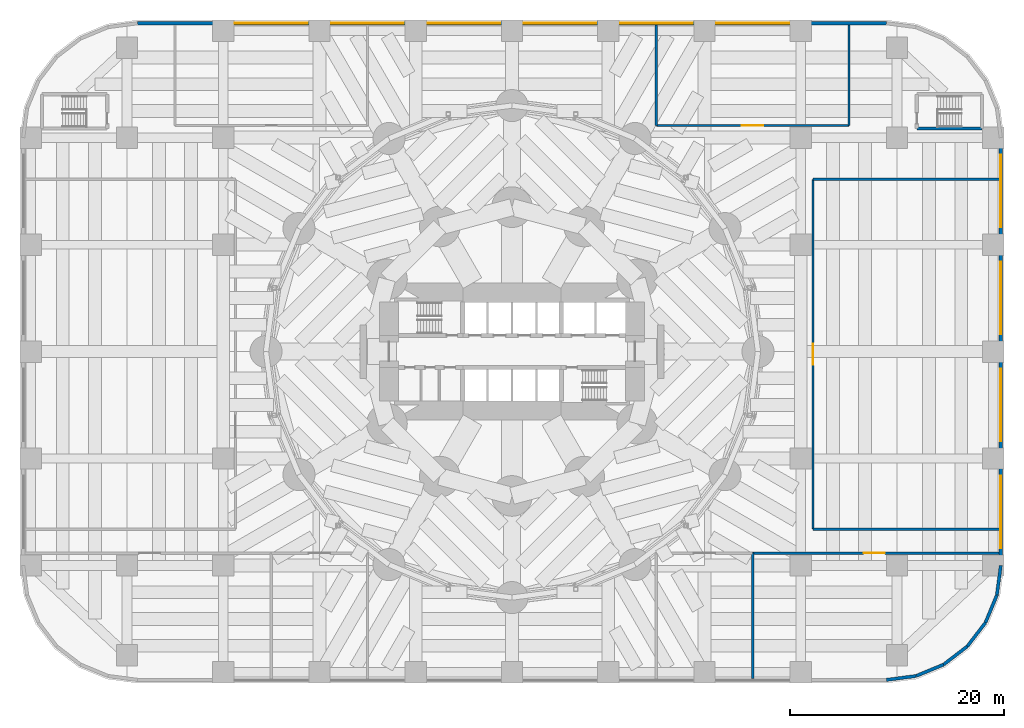
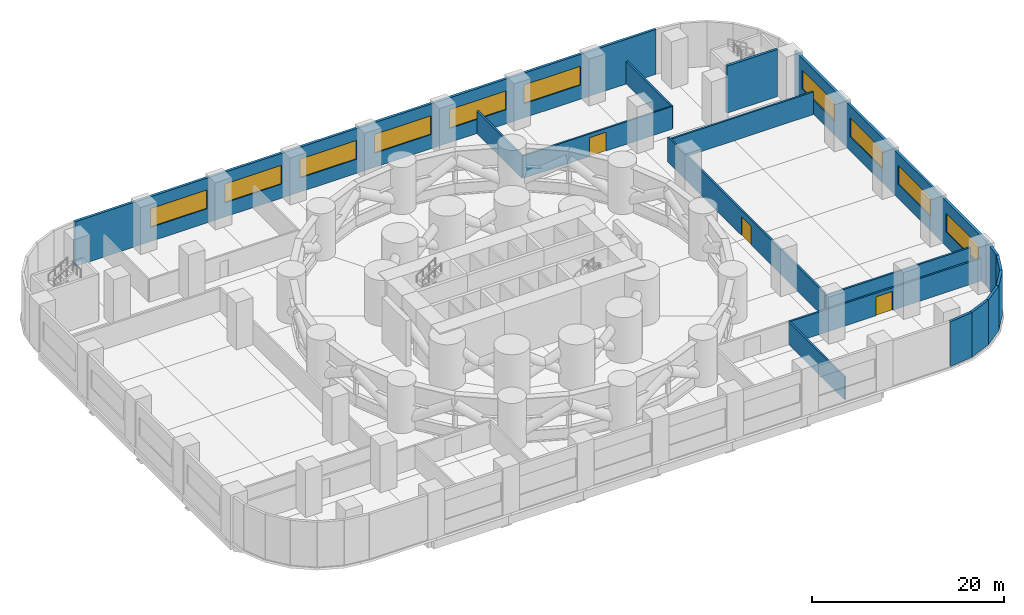
# One storey, part 11 of 14: 17 walls, 10 windows, 3 doors, 13 openings.
"""IFC4 building model written with IfcOpenShell, lengths in metres."""

from ifc_helpers import new_model, si_unit, direction, frame, frame_2d, origin, place, context, subcontext, project, spatial, rectangle, extrude, material, layer, layer_set, type_object, element, fill, save


model = new_model("IFC4")

# Units and contexts
model_context = context("Model", 3, precision=1e-05, world=origin(), true_north=direction((0.0, 1.0)))
body_context = subcontext(model_context, "Body", "Model", "MODEL_VIEW")
ifc_project = project(units=[si_unit("LENGTHUNIT", "METRE"), si_unit("AREAUNIT", "SQUARE_METRE"), si_unit("VOLUMEUNIT", "CUBIC_METRE"), si_unit("PLANEANGLEUNIT", "RADIAN"), si_unit("MASSUNIT", "GRAM", prefix="KILO")], contexts=[model_context])

# Site, building, storey
site_placement = place(None, origin())
site = spatial("IfcSite", under=ifc_project, at=site_placement, CompositionType="ELEMENT")
building_placement = place(site_placement, origin())
building = spatial("IfcBuilding", under=site, at=building_placement, Name="Qaws Media Tower", CompositionType="ELEMENT")
storey_placement = place(building_placement, frame((0.0, 0.0, 20.0)))
storey = spatial("IfcBuildingStorey", under=building, at=storey_placement, Name="L03", CompositionType="ELEMENT", Elevation=20.0)

# Walls
ifc_material_1 = material(Name="215 dense concrete blockwork, fair faced", Category="masonry")
ifc_layer_1 = layer(ifc_material_1, 0.215087890625)
ifc_layer_set_1 = layer_set([ifc_layer_1], Name="Plant room blockwork wall 215")
wall_type_1 = type_object("IfcWallType", Name="Plant room blockwork wall 215", PredefinedType="PARTITIONING", material=ifc_layer_set_1)
wall_1_placement = place(storey_placement, frame((73.5, 71.14990234375, 0.0), z_axis=(0.0, 0.0, 1.0), x_axis=(0.0, 1.0, 0.0)))
element("IfcWall", 1, at=wall_1_placement, inside=storey, type_object=wall_type_1, Name="W756 IW7 partition L03", PredefinedType="PARTITIONING", context=body_context, shape_type="SweptSolid", body=[
    extrude(rectangle(XDim=9.39501953125, YDim=0.215087890625, at=frame_2d((4.697509765625, 0.0))), origin(), (0.0, 0.0, 1.0), 2.8798828125),
])
wall_2_placement = place(storey_placement, frame((82.5, 19.455078125, 0.0), z_axis=(0.0, 0.0, 1.0), x_axis=(0.0, 1.0, 0.0)))
element("IfcWall", 2, at=wall_2_placement, inside=storey, type_object=wall_type_1, Name="W757 IW7 partition L03", PredefinedType="PARTITIONING", context=body_context, shape_type="SweptSolid", body=[
    extrude(rectangle(XDim=11.69482421875, YDim=0.215087890625, at=frame_2d((5.847412109375, 0.0))), origin(), (0.0, 0.0, 1.0), 2.8798828125),
])

# Wall, opening, door
wall_3_placement = place(storey_placement, frame((88.14990234375, 33.39990234375, 0.0), z_axis=(0.0, 0.0, 1.0), x_axis=(0.0, 1.0, 0.0)))
wall_3 = element("IfcWall", 3, at=wall_3_placement, inside=storey, type_object=wall_type_1, Name="W759 IW7 partition L03", PredefinedType="PARTITIONING", context=body_context, shape_type="SweptSolid", body=[
    extrude(rectangle(XDim=32.7001953125, YDim=0.215087890625, at=frame_2d((16.35009765625, 0.0))), origin(), (0.0, 0.0, 1.0), 3.179931640625),
])
opening_1_placement = place(wall_3_placement, frame((15.35009765625, 0.0, 0.0)))
opening_1 = element("IfcOpeningElement", 4, at=opening_1_placement, cuts=wall_3, Name="Opening D19", PredefinedType="OPENING", context=body_context, shape_type="SweptSolid", body=[
    extrude(rectangle(XDim=2.0, YDim=2.39990234375, at=frame_2d((1.0, 1.199951171875))), frame((0.0, 0.117431640625, 0.0), z_axis=(0.0, -1.0, 0.0), x_axis=(1.0, 0.0, 0.0)), (0.0, 0.0, 1.0), 0.235107421875),
])
ifc_material_2 = material(Name="Steel, fire rated, louvred", Category="steel")
door_type = type_object("IfcDoorType", Name="Plant room door pair 2000x2400", OperationType="DOUBLE_DOOR_DOUBLE_SWING", PredefinedType="DOOR", material=ifc_material_2)
door_1_placement = place(opening_1_placement, origin())
door_1 = element("IfcDoor", 5, at=door_1_placement, inside=storey, type_object=door_type, Name="D19 AHU plant room (east) door in wall W759", OperationType="DOUBLE_DOOR_DOUBLE_SWING", OverallHeight=2.39990234375, OverallWidth=2.0, PredefinedType="DOOR", context=body_context, shape_type="SweptSolid", body=[
    extrude(rectangle(XDim=2.0, YDim=2.39990234375, at=frame_2d((1.0, 1.199951171875))), frame((0.0, 0.02490234375, 0.0), z_axis=(0.0, -1.0, 0.0), x_axis=(1.0, 0.0, 0.0)), (0.0, 0.0, 1.0), 0.050048828125),
])
fill(opening_1, door_1)

# Wall
wall_4_placement = place(storey_placement, frame((91.5, 71.14990234375, 0.0), z_axis=(0.0, 0.0, 1.0), x_axis=(0.0, 1.0, 0.0)))
element("IfcWall", 6, at=wall_4_placement, inside=storey, type_object=wall_type_1, Name="W762 IW7 partition L03", PredefinedType="PARTITIONING", context=body_context, shape_type="SweptSolid", body=[
    extrude(rectangle(XDim=9.39501953125, YDim=0.215087890625, at=frame_2d((4.697509765625, 0.0))), origin(), (0.0, 0.0, 1.0), 2.8798828125),
])

# Wall, opening, door
wall_5_placement = place(storey_placement, frame((82.5, 31.14990234375, 0.0), z_axis=(0.0, 0.0, 1.0), x_axis=(1.0, 0.0, 0.0)))
wall_5 = element("IfcWall", 7, at=wall_5_placement, inside=storey, type_object=wall_type_1, Name="W758 IW7 partition L03", PredefinedType="PARTITIONING", context=body_context, shape_type="SweptSolid", body=[
    extrude(rectangle(XDim=23.044921875, YDim=0.215087890625, at=frame_2d((11.5224609375, 0.0))), origin(), (0.0, 0.0, 1.0), 2.8798828125),
])
opening_2_placement = place(wall_5_placement, frame((10.37255859375, 0.0, 0.0)))
opening_2 = element("IfcOpeningElement", 8, at=opening_2_placement, cuts=wall_5, Name="Opening D19", PredefinedType="OPENING", context=body_context, shape_type="SweptSolid", body=[
    extrude(rectangle(XDim=2.0, YDim=2.39990234375, at=frame_2d((1.0, 1.199951171875))), frame((0.0, 0.117431640625, 0.0), z_axis=(0.0, -1.0, 0.0), x_axis=(1.0, 0.0, 0.0)), (0.0, 0.0, 1.0), 0.235107421875),
])
door_2_placement = place(opening_2_placement, origin())
door_2 = element("IfcDoor", 9, at=door_2_placement, inside=storey, type_object=door_type, Name="D19 Water treatment plant room door in wall W758", OperationType="DOUBLE_DOOR_DOUBLE_SWING", OverallHeight=2.39990234375, OverallWidth=2.0, PredefinedType="DOOR", context=body_context, shape_type="SweptSolid", body=[
    extrude(rectangle(XDim=2.0, YDim=2.39990234375, at=frame_2d((1.0, 1.199951171875))), frame((0.0, 0.02490234375, 0.0), z_axis=(0.0, -1.0, 0.0), x_axis=(1.0, 0.0, 0.0)), (0.0, 0.0, 1.0), 0.050048828125),
])
fill(opening_2, door_2)

# Walls
for number, where, z_axis, x_axis, name in (
    (10, (88.14990234375, 33.39990234375, 0.0), (0.0, 0.0, 1.0), (1.0, 0.0, 0.0), "W760 IW7 partition L03"),
    (11, (88.14990234375, 66.10009765625, 0.0), (0.0, 0.0, 1.0), (1.0, 0.0, 0.0), "W761 IW7 partition L03"),
):
    element("IfcWall", number, at=place(storey_placement, frame(where, z_axis=z_axis, x_axis=x_axis)), inside=storey, type_object=wall_type_1, Name=name, PredefinedType="PARTITIONING", context=body_context, shape_type="SweptSolid", body=[
        extrude(rectangle(XDim=17.39501953125, YDim=0.215087890625, at=frame_2d((8.697509765625, 0.0))), origin(), (0.0, 0.0, 1.0), 2.8798828125),
    ])
ifc_material_3 = material(Name="Precast concrete, exposed finish", Category="concrete")
ifc_layer_2 = layer(ifc_material_3, 0.300048828125)
ifc_layer_set_2 = layer_set([ifc_layer_2], Name="Podium facade wall 300")
wall_type_2 = type_object("IfcWallType", Name="Podium facade wall 300", PredefinedType="SOLIDWALL", material=ifc_layer_set_2)
wall_6_placement = place(storey_placement, frame((95.0, 19.300048828125, 0.0), z_axis=(0.0, 0.0, 1.0), x_axis=(0.991448642066, 0.130497471798, 0.0)))
element("IfcWall", 12, at=wall_6_placement, inside=storey, type_object=wall_type_2, Name="W779 EW2 podium wall L03-01", PredefinedType="SOLIDWALL", context=body_context, shape_type="SweptSolid", body=[
    extrude(rectangle(XDim=2.793212890625, YDim=0.300048828125, at=frame_2d((1.396484375, 0.0))), origin(), (0.0, 0.0, 1.0), 5.699951171875),
])
wall_7_placement = place(storey_placement, frame((97.769287109375, 19.66455078125, 0.0), z_axis=(0.0, 0.0, 1.0), x_axis=(0.923868765822, 0.382709424419, 0.0)))
element("IfcWall", 13, at=wall_7_placement, inside=storey, type_object=wall_type_2, Name="W781 EW2 podium wall L03-02", PredefinedType="SOLIDWALL", context=body_context, shape_type="SweptSolid", body=[
    extrude(rectangle(XDim=2.79345703125, YDim=0.300048828125, at=frame_2d((1.396728515625, 0.0))), origin(), (0.0, 0.0, 1.0), 5.699951171875),
])
for number, where, z_axis, x_axis, name in (
    (14, (100.35009765625, 20.733642578125, 0.0), (0.0, 0.0, 1.0), (0.793396695539, 0.608704923183, 0.0), "W783 EW2 podium wall L03-03"),
    (15, (102.566162109375, 22.433837890625, 0.0), (0.0, 0.0, 1.0), (0.608704923183, 0.793396695539, 0.0), "W785 EW2 podium wall L03-04"),
):
    element("IfcWall", number, at=place(storey_placement, frame(where, z_axis=z_axis, x_axis=x_axis)), inside=storey, type_object=wall_type_2, Name=name, PredefinedType="SOLIDWALL", context=body_context, shape_type="SweptSolid", body=[
        extrude(rectangle(XDim=2.793212890625, YDim=0.300048828125, at=frame_2d((1.396484375, 0.0))), origin(), (0.0, 0.0, 1.0), 5.699951171875),
    ])
wall_8_placement = place(storey_placement, frame((104.266357421875, 24.64990234375, 0.0), z_axis=(0.0, 0.0, 1.0), x_axis=(0.382709424419, 0.923868765822, 0.0)))
element("IfcWall", 16, at=wall_8_placement, inside=storey, type_object=wall_type_2, Name="W787 EW2 podium wall L03-05", PredefinedType="SOLIDWALL", context=body_context, shape_type="SweptSolid", body=[
    extrude(rectangle(XDim=2.79345703125, YDim=0.300048828125, at=frame_2d((1.396728515625, 0.0))), origin(), (0.0, 0.0, 1.0), 5.699951171875),
])
wall_9_placement = place(storey_placement, frame((105.33544921875, 27.230712890625, 0.0), z_axis=(0.0, 0.0, 1.0), x_axis=(0.130497471798, 0.991448642066, 0.0)))
element("IfcWall", 17, at=wall_9_placement, inside=storey, type_object=wall_type_2, Name="W789 EW2 podium wall L03-06", PredefinedType="SOLIDWALL", context=body_context, shape_type="SweptSolid", body=[
    extrude(rectangle(XDim=2.793212890625, YDim=0.300048828125, at=frame_2d((1.396484375, 0.0))), origin(), (0.0, 0.0, 1.0), 5.699951171875),
])

# Wall, openings, windows
wall_10_placement = place(storey_placement, frame((105.699951171875, 30.0, 0.0), z_axis=(0.0, 0.0, 1.0), x_axis=(0.0, 1.0, 0.0)))
wall_10 = element("IfcWall", 18, at=wall_10_placement, inside=storey, type_object=wall_type_2, Name="W791 EW2 podium wall L03-07", PredefinedType="SOLIDWALL", context=body_context, shape_type="SweptSolid", body=[
    extrude(rectangle(XDim=40.0, YDim=0.300048828125, at=frame_2d((20.0, 0.0))), origin(), (0.0, 0.0, 1.0), 5.699951171875),
])
opening_3_placement = place(wall_10_placement, frame((1.60009765625, 0.0, 1.800048828125)))
opening_3 = element("IfcOpeningElement", 19, at=opening_3_placement, cuts=wall_10, Name="Opening W5", PredefinedType="OPENING", context=body_context, shape_type="SweptSolid", body=[
    extrude(rectangle(XDim=6.800048828125, YDim=2.39990234375, at=frame_2d((3.39990234375, 1.199951171875))), frame((0.0, 0.159912109375, 0.0), z_axis=(0.0, -1.0, 0.0), x_axis=(1.0, 0.0, 0.0)), (0.0, 0.0, 1.0), 0.320068359375),
])
opening_4_placement = place(wall_10_placement, frame((11.60009765625, 0.0, 1.800048828125)))
opening_4 = element("IfcOpeningElement", 20, at=opening_4_placement, cuts=wall_10, Name="Opening W5", PredefinedType="OPENING", context=body_context, shape_type="SweptSolid", body=[
    extrude(rectangle(XDim=6.800048828125, YDim=2.39990234375, at=frame_2d((3.39990234375, 1.199951171875))), frame((0.0, 0.159912109375, 0.0), z_axis=(0.0, -1.0, 0.0), x_axis=(1.0, 0.0, 0.0)), (0.0, 0.0, 1.0), 0.320068359375),
])
opening_5_placement = place(wall_10_placement, frame((21.60009765625, 0.0, 1.800048828125)))
opening_5 = element("IfcOpeningElement", 21, at=opening_5_placement, cuts=wall_10, Name="Opening W5", PredefinedType="OPENING", context=body_context, shape_type="SweptSolid", body=[
    extrude(rectangle(XDim=6.800048828125, YDim=2.39990234375, at=frame_2d((3.39990234375, 1.199951171875))), frame((0.0, 0.159912109375, 0.0), z_axis=(0.0, -1.0, 0.0), x_axis=(1.0, 0.0, 0.0)), (0.0, 0.0, 1.0), 0.320068359375),
])
opening_6_placement = place(wall_10_placement, frame((31.60009765625, 0.0, 1.800048828125)))
opening_6 = element("IfcOpeningElement", 22, at=opening_6_placement, cuts=wall_10, Name="Opening W5", PredefinedType="OPENING", context=body_context, shape_type="SweptSolid", body=[
    extrude(rectangle(XDim=6.800048828125, YDim=2.39990234375, at=frame_2d((3.39990234375, 1.199951171875))), frame((0.0, 0.159912109375, 0.0), z_axis=(0.0, -1.0, 0.0), x_axis=(1.0, 0.0, 0.0)), (0.0, 0.0, 1.0), 0.320068359375),
])
ifc_material_4 = material(Name="Aluminium louvre", Category="aluminium")
window_type = type_object("IfcWindowType", Name="Plant louvre window 6800x2400", PartitioningType="TRIPLE_PANEL_HORIZONTAL", PredefinedType="WINDOW", material=ifc_material_4)
window_1_placement = place(opening_3_placement, origin())
window_1 = element("IfcWindow", 23, at=window_1_placement, inside=storey, type_object=window_type, Name="W5 window L03 bay 2", OverallHeight=2.39990234375, OverallWidth=6.800048828125, PartitioningType="SINGLE_PANEL", PredefinedType="WINDOW", context=body_context, shape_type="SweptSolid", body=[
    extrude(rectangle(XDim=6.800048828125, YDim=2.39990234375, at=frame_2d((3.39990234375, 1.199951171875))), frame((0.0, 0.030029296875, 0.0), z_axis=(0.0, -1.0, 0.0), x_axis=(1.0, 0.0, 0.0)), (0.0, 0.0, 1.0), 0.06005859375),
])
fill(opening_3, window_1)
window_2_placement = place(opening_4_placement, origin())
window_2 = element("IfcWindow", 24, at=window_2_placement, inside=storey, type_object=window_type, Name="W5 window L03 bay 3", OverallHeight=2.39990234375, OverallWidth=6.800048828125, PartitioningType="SINGLE_PANEL", PredefinedType="WINDOW", context=body_context, shape_type="SweptSolid", body=[
    extrude(rectangle(XDim=6.800048828125, YDim=2.39990234375, at=frame_2d((3.39990234375, 1.199951171875))), frame((0.0, 0.030029296875, 0.0), z_axis=(0.0, -1.0, 0.0), x_axis=(1.0, 0.0, 0.0)), (0.0, 0.0, 1.0), 0.06005859375),
])
fill(opening_4, window_2)
window_3_placement = place(opening_5_placement, origin())
window_3 = element("IfcWindow", 25, at=window_3_placement, inside=storey, type_object=window_type, Name="W5 window L03 bay 4", OverallHeight=2.39990234375, OverallWidth=6.800048828125, PartitioningType="SINGLE_PANEL", PredefinedType="WINDOW", context=body_context, shape_type="SweptSolid", body=[
    extrude(rectangle(XDim=6.800048828125, YDim=2.39990234375, at=frame_2d((3.39990234375, 1.199951171875))), frame((0.0, 0.030029296875, 0.0), z_axis=(0.0, -1.0, 0.0), x_axis=(1.0, 0.0, 0.0)), (0.0, 0.0, 1.0), 0.06005859375),
])
fill(opening_5, window_3)
window_4_placement = place(opening_6_placement, origin())
window_4 = element("IfcWindow", 26, at=window_4_placement, inside=storey, type_object=window_type, Name="W5 window L03 bay 5", OverallHeight=2.39990234375, OverallWidth=6.800048828125, PartitioningType="SINGLE_PANEL", PredefinedType="WINDOW", context=body_context, shape_type="SweptSolid", body=[
    extrude(rectangle(XDim=6.800048828125, YDim=2.39990234375, at=frame_2d((3.39990234375, 1.199951171875))), frame((0.0, 0.030029296875, 0.0), z_axis=(0.0, -1.0, 0.0), x_axis=(1.0, 0.0, 0.0)), (0.0, 0.0, 1.0), 0.06005859375),
])
fill(opening_6, window_4)

wall_11_placement = place(storey_placement, frame((95.0, 80.699951171875, 0.0), z_axis=(0.0, 0.0, 1.0), x_axis=(-1.0, 0.0, 0.0)))
wall_11 = element("IfcWall", 27, at=wall_11_placement, inside=storey, type_object=wall_type_2, Name="W780 EW2 podium wall L03-14", PredefinedType="SOLIDWALL", context=body_context, shape_type="SweptSolid", body=[
    extrude(rectangle(XDim=70.0, YDim=0.300048828125, at=frame_2d((35.0, 0.0))), origin(), (0.0, 0.0, 1.0), 5.699951171875),
])
opening_7_placement = place(wall_11_placement, frame((54.10009765625, 0.0, 1.800048828125)))
opening_7 = element("IfcOpeningElement", 28, at=opening_7_placement, cuts=wall_11, Name="Opening W5", PredefinedType="OPENING", context=body_context, shape_type="SweptSolid", body=[
    extrude(rectangle(XDim=6.800048828125, YDim=2.39990234375, at=frame_2d((3.39990234375, 1.199951171875))), frame((0.0, 0.159912109375, 0.0), z_axis=(0.0, -1.0, 0.0), x_axis=(1.0, 0.0, 0.0)), (0.0, 0.0, 1.0), 0.320068359375),
])
opening_8_placement = place(wall_11_placement, frame((45.10009765625, 0.0, 1.800048828125)))
opening_8 = element("IfcOpeningElement", 29, at=opening_8_placement, cuts=wall_11, Name="Opening W5", PredefinedType="OPENING", context=body_context, shape_type="SweptSolid", body=[
    extrude(rectangle(XDim=6.800048828125, YDim=2.39990234375, at=frame_2d((3.39990234375, 1.199951171875))), frame((0.0, 0.159912109375, 0.0), z_axis=(0.0, -1.0, 0.0), x_axis=(1.0, 0.0, 0.0)), (0.0, 0.0, 1.0), 0.320068359375),
])
opening_9_placement = place(wall_11_placement, frame((36.10009765625, 0.0, 1.800048828125)))
opening_9 = element("IfcOpeningElement", 30, at=opening_9_placement, cuts=wall_11, Name="Opening W5", PredefinedType="OPENING", context=body_context, shape_type="SweptSolid", body=[
    extrude(rectangle(XDim=6.800048828125, YDim=2.39990234375, at=frame_2d((3.39990234375, 1.199951171875))), frame((0.0, 0.159912109375, 0.0), z_axis=(0.0, -1.0, 0.0), x_axis=(1.0, 0.0, 0.0)), (0.0, 0.0, 1.0), 0.320068359375),
])
opening_10_placement = place(wall_11_placement, frame((27.10009765625, 0.0, 1.800048828125)))
opening_10 = element("IfcOpeningElement", 31, at=opening_10_placement, cuts=wall_11, Name="Opening W5", PredefinedType="OPENING", context=body_context, shape_type="SweptSolid", body=[
    extrude(rectangle(XDim=6.800048828125, YDim=2.39990234375, at=frame_2d((3.39990234375, 1.199951171875))), frame((0.0, 0.159912109375, 0.0), z_axis=(0.0, -1.0, 0.0), x_axis=(1.0, 0.0, 0.0)), (0.0, 0.0, 1.0), 0.320068359375),
])
opening_11_placement = place(wall_11_placement, frame((18.10009765625, 0.0, 1.800048828125)))
opening_11 = element("IfcOpeningElement", 32, at=opening_11_placement, cuts=wall_11, Name="Opening W5", PredefinedType="OPENING", context=body_context, shape_type="SweptSolid", body=[
    extrude(rectangle(XDim=6.800048828125, YDim=2.39990234375, at=frame_2d((3.39990234375, 1.199951171875))), frame((0.0, 0.159912109375, 0.0), z_axis=(0.0, -1.0, 0.0), x_axis=(1.0, 0.0, 0.0)), (0.0, 0.0, 1.0), 0.320068359375),
])
opening_12_placement = place(wall_11_placement, frame((9.10009765625, 0.0, 1.800048828125)))
opening_12 = element("IfcOpeningElement", 33, at=opening_12_placement, cuts=wall_11, Name="Opening W5", PredefinedType="OPENING", context=body_context, shape_type="SweptSolid", body=[
    extrude(rectangle(XDim=6.800048828125, YDim=2.39990234375, at=frame_2d((3.39990234375, 1.199951171875))), frame((0.0, 0.159912109375, 0.0), z_axis=(0.0, -1.0, 0.0), x_axis=(1.0, 0.0, 0.0)), (0.0, 0.0, 1.0), 0.320068359375),
])
window_5_placement = place(opening_7_placement, origin())
window_5 = element("IfcWindow", 34, at=window_5_placement, inside=storey, type_object=window_type, Name="W5 window L03 bay 3", OverallHeight=2.39990234375, OverallWidth=6.800048828125, PartitioningType="SINGLE_PANEL", PredefinedType="WINDOW", context=body_context, shape_type="SweptSolid", body=[
    extrude(rectangle(XDim=6.800048828125, YDim=2.39990234375, at=frame_2d((3.39990234375, 1.199951171875))), frame((0.0, 0.030029296875, 0.0), z_axis=(0.0, -1.0, 0.0), x_axis=(1.0, 0.0, 0.0)), (0.0, 0.0, 1.0), 0.06005859375),
])
fill(opening_7, window_5)
window_6_placement = place(opening_8_placement, origin())
window_6 = element("IfcWindow", 35, at=window_6_placement, inside=storey, type_object=window_type, Name="W5 window L03 bay 4", OverallHeight=2.39990234375, OverallWidth=6.800048828125, PartitioningType="SINGLE_PANEL", PredefinedType="WINDOW", context=body_context, shape_type="SweptSolid", body=[
    extrude(rectangle(XDim=6.800048828125, YDim=2.39990234375, at=frame_2d((3.39990234375, 1.199951171875))), frame((0.0, 0.030029296875, 0.0), z_axis=(0.0, -1.0, 0.0), x_axis=(1.0, 0.0, 0.0)), (0.0, 0.0, 1.0), 0.06005859375),
])
fill(opening_8, window_6)
window_7_placement = place(opening_9_placement, origin())
window_7 = element("IfcWindow", 36, at=window_7_placement, inside=storey, type_object=window_type, Name="W5 window L03 bay 5", OverallHeight=2.39990234375, OverallWidth=6.800048828125, PartitioningType="SINGLE_PANEL", PredefinedType="WINDOW", context=body_context, shape_type="SweptSolid", body=[
    extrude(rectangle(XDim=6.800048828125, YDim=2.39990234375, at=frame_2d((3.39990234375, 1.199951171875))), frame((0.0, 0.030029296875, 0.0), z_axis=(0.0, -1.0, 0.0), x_axis=(1.0, 0.0, 0.0)), (0.0, 0.0, 1.0), 0.06005859375),
])
fill(opening_9, window_7)
window_8_placement = place(opening_10_placement, origin())
window_8 = element("IfcWindow", 37, at=window_8_placement, inside=storey, type_object=window_type, Name="W5 window L03 bay 6", OverallHeight=2.39990234375, OverallWidth=6.800048828125, PartitioningType="SINGLE_PANEL", PredefinedType="WINDOW", context=body_context, shape_type="SweptSolid", body=[
    extrude(rectangle(XDim=6.800048828125, YDim=2.39990234375, at=frame_2d((3.39990234375, 1.199951171875))), frame((0.0, 0.030029296875, 0.0), z_axis=(0.0, -1.0, 0.0), x_axis=(1.0, 0.0, 0.0)), (0.0, 0.0, 1.0), 0.06005859375),
])
fill(opening_10, window_8)
window_9_placement = place(opening_11_placement, origin())
window_9 = element("IfcWindow", 38, at=window_9_placement, inside=storey, type_object=window_type, Name="W5 window L03 bay 7", OverallHeight=2.39990234375, OverallWidth=6.800048828125, PartitioningType="SINGLE_PANEL", PredefinedType="WINDOW", context=body_context, shape_type="SweptSolid", body=[
    extrude(rectangle(XDim=6.800048828125, YDim=2.39990234375, at=frame_2d((3.39990234375, 1.199951171875))), frame((0.0, 0.030029296875, 0.0), z_axis=(0.0, -1.0, 0.0), x_axis=(1.0, 0.0, 0.0)), (0.0, 0.0, 1.0), 0.06005859375),
])
fill(opening_11, window_9)
window_10_placement = place(opening_12_placement, origin())
window_10 = element("IfcWindow", 39, at=window_10_placement, inside=storey, type_object=window_type, Name="W5 window L03 bay 8", OverallHeight=2.39990234375, OverallWidth=6.800048828125, PartitioningType="SINGLE_PANEL", PredefinedType="WINDOW", context=body_context, shape_type="SweptSolid", body=[
    extrude(rectangle(XDim=6.800048828125, YDim=2.39990234375, at=frame_2d((3.39990234375, 1.199951171875))), frame((0.0, 0.030029296875, 0.0), z_axis=(0.0, -1.0, 0.0), x_axis=(1.0, 0.0, 0.0)), (0.0, 0.0, 1.0), 0.06005859375),
])
fill(opening_12, window_10)

# Wall, opening, door
ifc_material_5 = material(Name="Gypsum board on galvanised metal studs, acoustic double stud, deflection head", Category="gypsum")
ifc_layer_3 = layer(ifc_material_5, 0.199951171875)
ifc_layer_set_3 = layer_set([ifc_layer_3], Name="Room partition 200")
wall_type_3 = type_object("IfcWallType", Name="Room partition 200", PredefinedType="PARTITIONING", material=ifc_layer_set_3)
wall_12_placement = place(storey_placement, frame((73.5, 71.14990234375, 0.0), z_axis=(0.0, 0.0, 1.0), x_axis=(1.0, 0.0, 0.0)))
wall_12 = element("IfcWall", 40, at=wall_12_placement, inside=storey, type_object=wall_type_3, Name="W940 IW3 partition L03", PredefinedType="PARTITIONING", context=body_context, shape_type="SweptSolid", body=[
    extrude(rectangle(XDim=18.0, YDim=0.199951171875, at=frame_2d((9.0, 0.0))), origin(), (0.0, 0.0, 1.0), 2.8798828125),
])
opening_13_placement = place(wall_12_placement, frame((8.0, 0.0, 0.0)))
opening_13 = element("IfcOpeningElement", 41, at=opening_13_placement, cuts=wall_12, Name="Opening D19", PredefinedType="OPENING", context=body_context, shape_type="SweptSolid", body=[
    extrude(rectangle(XDim=2.0, YDim=2.39990234375, at=frame_2d((1.0, 1.199951171875))), frame((0.0, 0.10986328125, 0.0), z_axis=(0.0, -1.0, 0.0), x_axis=(1.0, 0.0, 0.0)), (0.0, 0.0, 1.0), 0.219970703125),
])
door_3_placement = place(opening_13_placement, origin())
door_3 = element("IfcDoor", 42, at=door_3_placement, inside=storey, type_object=door_type, Name="D19 Air handling plant room door in wall W940", OperationType="DOUBLE_DOOR_DOUBLE_SWING", OverallHeight=2.39990234375, OverallWidth=2.0, PredefinedType="DOOR", context=body_context, shape_type="SweptSolid", body=[
    extrude(rectangle(XDim=2.0, YDim=2.39990234375, at=frame_2d((1.0, 1.199951171875))), frame((0.0, 0.02490234375, 0.0), z_axis=(0.0, -1.0, 0.0), x_axis=(1.0, 0.0, 0.0)), (0.0, 0.0, 1.0), 0.050048828125),
])
fill(opening_13, door_3)

# Wall
ifc_material_6 = material(Name="Concrete C60/75", Category="concrete")
ifc_layer_4 = layer(ifc_material_6, 0.300048828125)
ifc_layer_set_4 = layer_set([ifc_layer_4], Name="Stair enclosure wall 300")
wall_type_4 = type_object("IfcWallType", Name="Stair enclosure wall 300", PredefinedType="SHEAR", material=ifc_layer_set_4)
wall_13_placement = place(storey_placement, frame((97.85009765625, 70.85009765625, 0.0), z_axis=(0.0, 0.0, 1.0), x_axis=(1.0, 0.0, 0.0)))
element("IfcWall", 43, at=wall_13_placement, inside=storey, type_object=wall_type_4, Name="W1887 SW7 stair S4 enclosure S L03", PredefinedType="SHEAR", context=body_context, shape_type="SweptSolid", body=[
    extrude(rectangle(XDim=6.099853515625, YDim=0.300048828125, at=frame_2d((3.0498046875, 0.0))), origin(), (0.0, 0.0, 1.0), 6.0),
])

save(model, "model.ifc")
